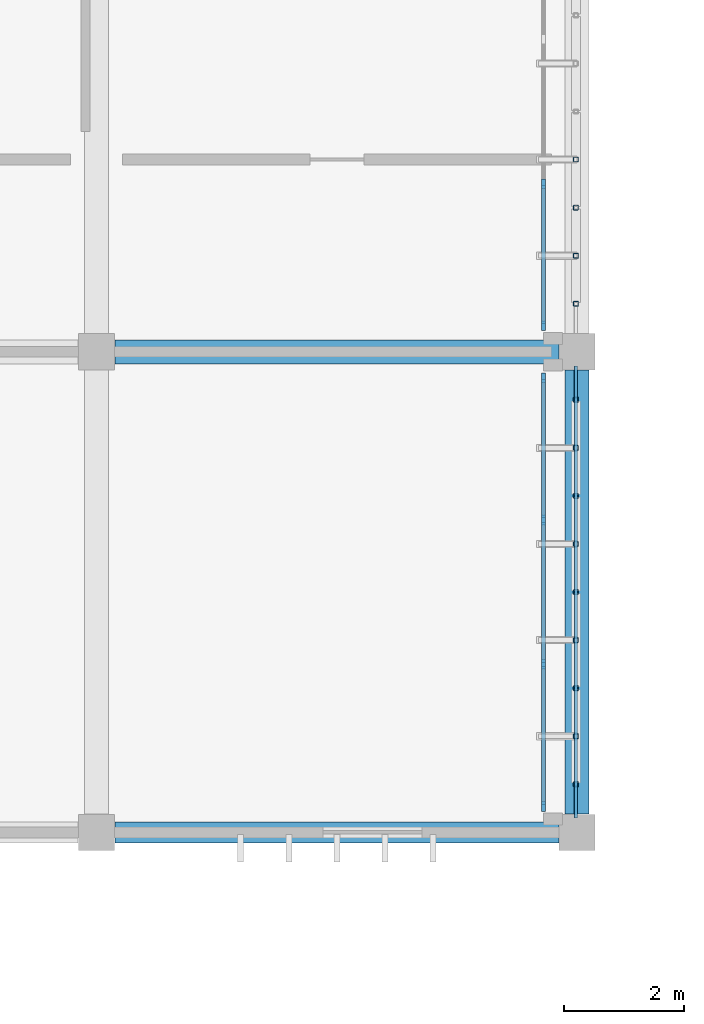
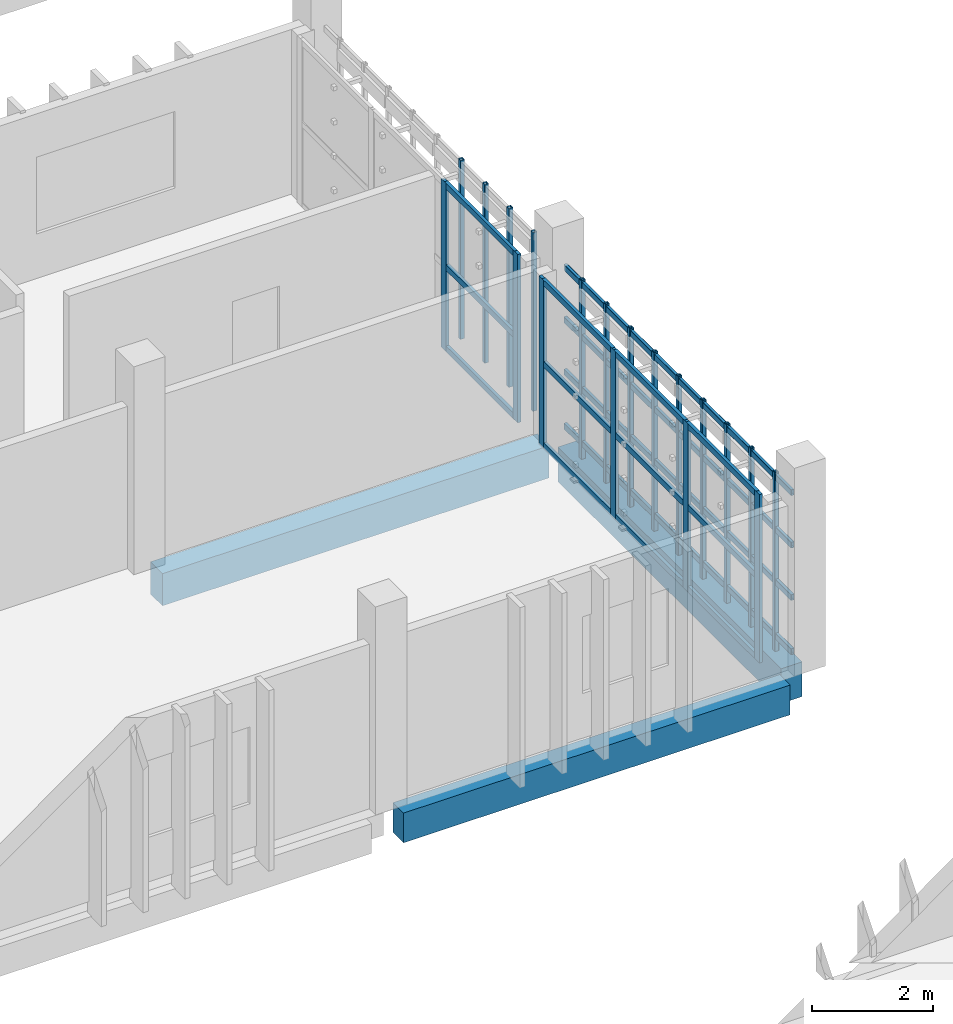
# One storey, part 30 of 83: 35 members, 3 beams, 2 elements without a shape of their own.
"""IFC4 building model written with IfcOpenShell, lengths in metres."""

from ifc_helpers import new_model, si_unit, direction, frame, origin, origin_2d, place, context, subcontext, project, spatial, rectangle, hollow_rectangle, extrude, material, layer, layer_set, material_profile, profile_set, type_object, element, aggregate, save


model = new_model("IFC4")

# Units and contexts
model_context = context("Model", 3, precision=1e-05, world=origin(), true_north=direction((0.0, 1.0)))
body_context = subcontext(model_context, "Body", "Model", "MODEL_VIEW")
ifc_project = project(units=[si_unit("LENGTHUNIT", "METRE"), si_unit("AREAUNIT", "SQUARE_METRE"), si_unit("VOLUMEUNIT", "CUBIC_METRE"), si_unit("PLANEANGLEUNIT", "RADIAN"), si_unit("MASSUNIT", "GRAM", prefix="KILO")], contexts=[model_context])

# Site, building, storey
site_placement = place(None, origin())
site = spatial("IfcSite", under=ifc_project, at=site_placement, CompositionType="ELEMENT")
building_placement = place(site_placement, origin())
building = spatial("IfcBuilding", under=site, at=building_placement, Name="Jelvoka-Kovrelna Polytechnic", CompositionType="ELEMENT")
storey_placement = place(building_placement, frame((0.0, 0.0, 13.800048828125)))
storey = spatial("IfcBuildingStorey", under=building, at=storey_placement, Name="L04", CompositionType="ELEMENT", Elevation=13.800048828125)

# Beams
ifc_material_1 = material(Name="Concrete C40/50", Category="concrete")
ifc_material_profile_1 = material_profile(ifc_material_1, rectangle(XDim=0.39990234375, YDim=0.64990234375, at=origin_2d()), Name="RC 400x650")
ifc_profile_set_1 = profile_set([ifc_material_profile_1], Name="Concrete C40/50")
beam_type_1 = type_object("IfcBeamType", Name="Beam_RC_400x650", PredefinedType="BEAM", material=ifc_profile_set_1)
beam_1_placement = place(storey_placement, frame((104.304931640625, 40.0, -0.574951171875), z_axis=(1.0, 0.0, 0.0), x_axis=(0.0, 1.0, 0.0)))
element("IfcBeam", 1, at=beam_1_placement, inside=storey, type_object=beam_type_1, Name="L04 beam 1188", PredefinedType="BEAM", context=body_context, shape_type="SweptSolid", body=[
    extrude(rectangle(XDim=0.39990234375, YDim=0.64990234375, at=origin_2d()), origin(), (0.0, 0.0, 1.0), 7.39013671875),
])
ifc_material_2 = material(Name="Concrete C40/50", Category="concrete")
ifc_material_profile_2 = material_profile(ifc_material_2, rectangle(XDim=0.39990234375, YDim=0.699951171875, at=origin_2d()), Name="RC 400x700")
ifc_profile_set_2 = profile_set([ifc_material_profile_2], Name="Concrete C40/50")
beam_type_2 = type_object("IfcBeamType", Name="Beam_RC_400x700", PredefinedType="BEAM", material=ifc_profile_set_2)
beam_2_placement = place(storey_placement, frame((112.0, 32.304931640625, -0.60009765625), z_axis=(0.0, 1.0, 0.0), x_axis=(-1.0, 0.0, 0.0)))
element("IfcBeam", 2, at=beam_2_placement, inside=storey, type_object=beam_type_2, Name="L04 beam 1210", PredefinedType="BEAM", context=body_context, shape_type="SweptSolid", body=[
    extrude(rectangle(XDim=0.39990234375, YDim=0.699951171875, at=origin_2d()), origin(), (0.0, 0.0, 1.0), 7.39013671875),
])

# Members
ifc_material_3 = material(Name="Structural steel S355J2H", Category="steel")
ifc_material_profile_3 = material_profile(ifc_material_3, hollow_rectangle(XDim=0.06005859375, YDim=0.1201171875, WallThickness=0.0048828125, InnerFilletRadius=0.0048828125, OuterFilletRadius=0.007568359375, at=origin_2d()), Name="120x60x5.0 RHS")
ifc_profile_set_3 = profile_set([ifc_material_profile_3], Name="Structural steel S355J2H")
member_type_1 = type_object("IfcMemberType", Name="Member_Strut_RHS120", PredefinedType="STRUT", material=ifc_profile_set_3)
for number, where, z_axis, x_axis, name in (
    (3, (111.97998046875, 32.239990234375, 0.079833984375), (0.0, 1.0, 0.0), (-1.0, 0.0, 0.0), "L04 terracotta screen horizontal strut 0183"),
    (4, (111.97998046875, 32.239990234375, 1.17138671875), (0.0, 1.0, 0.0), (-1.0, 0.0, 0.0), "L04 terracotta screen horizontal strut 0184"),
    (5, (111.97998046875, 32.239990234375, 2.230712890625), (0.0, 1.0, 0.0), (-1.0, 0.0, 0.0), "L04 terracotta screen horizontal strut 0185"),
    (6, (111.97998046875, 32.239990234375, 3.2900390625), (0.0, 1.0, 0.0), (-1.0, 0.0, 0.0), "L04 terracotta screen horizontal strut 0186"),
):
    element("IfcMember", number, at=place(storey_placement, frame(where, z_axis=z_axis, x_axis=x_axis)), inside=storey, type_object=member_type_1, Name=name, PredefinedType="STRUT", context=body_context, shape_type="SweptSolid", body=[
        extrude(hollow_rectangle(XDim=0.06005859375, YDim=0.1201171875, WallThickness=0.0048828125, InnerFilletRadius=0.0048828125, OuterFilletRadius=0.007568359375, at=origin_2d()), origin(), (0.0, 0.0, 1.0), 7.52001953125),
    ])
ifc_material_4 = material(Name="Structural steel S355J2H", Category="steel")
ifc_material_profile_4 = material_profile(ifc_material_4, hollow_rectangle(XDim=0.080078125, YDim=0.080078125, WallThickness=0.0048828125, InnerFilletRadius=0.0048828125, OuterFilletRadius=0.007568359375, at=origin_2d()), Name="80x80x5.0 SHS")
ifc_profile_set_4 = profile_set([ifc_material_profile_4], Name="Structural steel S355J2H")
member_type_2 = type_object("IfcMemberType", Name="Member_Strut_SHS80", PredefinedType="STRUT", material=ifc_profile_set_4)
for number, where, z_axis, x_axis, name in (
    (7, (111.97998046875, 32.800048828125, -0.22998046875), (0.0, 0.0, 1.0), (1.0, 0.0, 0.0), "L04 terracotta lattice vertical rib 0187"),
    (8, (111.97998046875, 33.60009765625, -0.22998046875), (0.0, 0.0, 1.0), (1.0, 0.0, 0.0), "L04 terracotta lattice vertical rib 0188"),
    (9, (111.97998046875, 34.39990234375, -0.22998046875), (0.0, 0.0, 1.0), (1.0, 0.0, 0.0), "L04 terracotta lattice vertical rib 0189"),
    (10, (111.97998046875, 35.199951171875, -0.22998046875), (0.0, 0.0, 1.0), (1.0, 0.0, 0.0), "L04 terracotta lattice vertical rib 0190"),
    (11, (111.97998046875, 36.0, -0.22998046875), (0.0, 0.0, 1.0), (1.0, 0.0, 0.0), "L04 terracotta lattice vertical rib 0191"),
    (12, (111.97998046875, 36.800048828125, -0.22998046875), (0.0, 0.0, 1.0), (1.0, 0.0, 0.0), "L04 terracotta lattice vertical rib 0192"),
    (13, (111.97998046875, 37.60009765625, -0.22998046875), (0.0, 0.0, 1.0), (1.0, 0.0, 0.0), "L04 terracotta lattice vertical rib 0193"),
    (14, (111.97998046875, 38.39990234375, -0.22998046875), (0.0, 0.0, 1.0), (1.0, 0.0, 0.0), "L04 terracotta lattice vertical rib 0194"),
    (15, (111.97998046875, 39.199951171875, -0.22998046875), (0.0, 0.0, 1.0), (1.0, 0.0, 0.0), "L04 terracotta lattice vertical rib 0195"),
    (16, (111.97998046875, 40.800048828125, -0.22998046875), (0.0, 0.0, 1.0), (1.0, 0.0, 0.0), "L04 terracotta lattice vertical rib 0200"),
    (17, (111.97998046875, 41.60009765625, -0.22998046875), (0.0, 0.0, 1.0), (1.0, 0.0, 0.0), "L04 terracotta lattice vertical rib 0201"),
    (18, (111.97998046875, 42.39990234375, -0.22998046875), (0.0, 0.0, 1.0), (1.0, 0.0, 0.0), "L04 terracotta lattice vertical rib 0202"),
    (19, (111.97998046875, 43.199951171875, -0.22998046875), (0.0, 0.0, 1.0), (1.0, 0.0, 0.0), "L04 terracotta lattice vertical rib 0203"),
):
    element("IfcMember", number, at=place(storey_placement, frame(where, z_axis=z_axis, x_axis=x_axis)), inside=storey, type_object=member_type_2, Name=name, PredefinedType="STRUT", context=body_context, shape_type="SweptSolid", body=[
        extrude(hollow_rectangle(XDim=0.080078125, YDim=0.080078125, WallThickness=0.0048828125, InnerFilletRadius=0.0048828125, OuterFilletRadius=0.007568359375, at=origin_2d()), origin(), (0.0, 0.0, 1.0), 3.60986328125),
    ])

# Curtain wall, members
ifc_material_5 = material(Name="Anodised aluminium 6063-T6", Category="aluminium")
ifc_layer = layer(ifc_material_5, 0.159912109375)
ifc_layer_set = layer_set([ifc_layer], Name="Anodised aluminium 6063-T6")
curtain_wall_type = type_object("IfcCurtainWallType", Name="CW_Recessed_A", PredefinedType="NOTDEFINED", material=ifc_layer_set)
curtain_wall_1_placement = place(storey_placement, origin())
curtain_wall_1 = element("IfcCurtainWall", 20, at=curtain_wall_1_placement, inside=storey, type_object=curtain_wall_type, Name="L04 glazed curtain wall 031", PredefinedType="NOTDEFINED")
ifc_material_6 = material(Name="Anodised aluminium 6063-T6", Category="aluminium")
ifc_material_profile_5 = material_profile(ifc_material_6, rectangle(XDim=0.06005859375, YDim=0.159912109375, at=origin_2d()), Name="ALU 60x160")
ifc_profile_set_5 = profile_set([ifc_material_profile_5], Name="Anodised aluminium 6063-T6")
member_type_3 = type_object("IfcMemberType", Name="Mullion_M-01", PredefinedType="MULLION", material=ifc_profile_set_5)
member_1_placement = place(storey_placement, frame((111.43994140625, 39.570068359375, -0.02490234375), z_axis=(0.0, 0.0, 1.0), x_axis=(1.0, 0.0, 0.0)))
member_1 = element("IfcMember", 21, at=member_1_placement, type_object=member_type_3, Name="CW-01 mullion 1", PredefinedType="MULLION", context=body_context, shape_type="SweptSolid", body=[
    extrude(rectangle(XDim=0.06005859375, YDim=0.159912109375, at=origin_2d()), origin(), (0.0, 0.0, 1.0), 3.39990234375),
])
member_2_placement = place(storey_placement, frame((111.43994140625, 37.199951171875, -0.02490234375), z_axis=(0.0, 0.0, 1.0), x_axis=(1.0, 0.0, 0.0)))
member_2 = element("IfcMember", 22, at=member_2_placement, type_object=member_type_3, Name="CW-01 mullion 2", PredefinedType="MULLION", context=body_context, shape_type="SweptSolid", body=[
    extrude(rectangle(XDim=0.06005859375, YDim=0.159912109375, at=origin_2d()), origin(), (0.0, 0.0, 1.0), 3.39990234375),
])
member_3_placement = place(storey_placement, frame((111.43994140625, 34.800048828125, -0.02490234375), z_axis=(0.0, 0.0, 1.0), x_axis=(1.0, 0.0, 0.0)))
member_3 = element("IfcMember", 23, at=member_3_placement, type_object=member_type_3, Name="CW-01 mullion 3", PredefinedType="MULLION", context=body_context, shape_type="SweptSolid", body=[
    extrude(rectangle(XDim=0.06005859375, YDim=0.159912109375, at=origin_2d()), origin(), (0.0, 0.0, 1.0), 3.39990234375),
])
member_4_placement = place(storey_placement, frame((111.43994140625, 32.429931640625, -0.02490234375), z_axis=(0.0, 0.0, 1.0), x_axis=(1.0, 0.0, 0.0)))
member_4 = element("IfcMember", 24, at=member_4_placement, type_object=member_type_3, Name="CW-01 mullion 4", PredefinedType="MULLION", context=body_context, shape_type="SweptSolid", body=[
    extrude(rectangle(XDim=0.06005859375, YDim=0.159912109375, at=origin_2d()), origin(), (0.0, 0.0, 1.0), 3.39990234375),
])

curtain_wall_2_placement = place(storey_placement, origin())
curtain_wall_2 = element("IfcCurtainWall", 25, at=curtain_wall_2_placement, inside=storey, type_object=curtain_wall_type, Name="L04 glazed curtain wall 032", PredefinedType="NOTDEFINED")
member_5_placement = place(storey_placement, frame((111.43994140625, 42.800048828125, -0.02490234375), z_axis=(0.0, 0.0, 1.0), x_axis=(1.0, 0.0, 0.0)))
member_5 = element("IfcMember", 26, at=member_5_placement, type_object=member_type_3, Name="CW-01 mullion 3", PredefinedType="MULLION", context=body_context, shape_type="SweptSolid", body=[
    extrude(rectangle(XDim=0.06005859375, YDim=0.159912109375, at=origin_2d()), origin(), (0.0, 0.0, 1.0), 3.39990234375),
])
member_6_placement = place(storey_placement, frame((111.43994140625, 40.429931640625, -0.02490234375), z_axis=(0.0, 0.0, 1.0), x_axis=(1.0, 0.0, 0.0)))
member_6 = element("IfcMember", 27, at=member_6_placement, type_object=member_type_3, Name="CW-01 mullion 4", PredefinedType="MULLION", context=body_context, shape_type="SweptSolid", body=[
    extrude(rectangle(XDim=0.06005859375, YDim=0.159912109375, at=origin_2d()), origin(), (0.0, 0.0, 1.0), 3.39990234375),
])

# Beam
ifc_material_7 = material(Name="Concrete C40/50", Category="concrete")
ifc_material_profile_6 = material_profile(ifc_material_7, rectangle(XDim=0.35009765625, YDim=0.60009765625, at=origin_2d()), Name="RC 350x600")
ifc_profile_set_6 = profile_set([ifc_material_profile_6], Name="Concrete C40/50")
beam_type_3 = type_object("IfcBeamType", Name="Spandrel_RC_350x600", PredefinedType="SPANDREL", material=ifc_profile_set_6)
beam_3_placement = place(storey_placement, frame((104.304931640625, 32.0, -0.550048828125), z_axis=(1.0, 0.0, 0.0), x_axis=(0.0, 1.0, 0.0)))
element("IfcBeam", 28, at=beam_3_placement, inside=storey, type_object=beam_type_3, Name="L04 beam 1182", PredefinedType="SPANDREL", context=body_context, shape_type="SweptSolid", body=[
    extrude(rectangle(XDim=0.35009765625, YDim=0.60009765625, at=origin_2d()), origin(), (0.0, 0.0, 1.0), 7.39013671875),
])

# Member
ifc_material_8 = material(Name="Anodised aluminium 6063-T6", Category="aluminium")
ifc_material_profile_7 = material_profile(ifc_material_8, rectangle(XDim=0.06005859375, YDim=0.1201171875, at=origin_2d()), Name="ALU 60x120")
ifc_profile_set_7 = profile_set([ifc_material_profile_7], Name="Anodised aluminium 6063-T6")
member_type_4 = type_object("IfcMemberType", Name="Transom_T-01", PredefinedType="USERDEFINED", material=ifc_profile_set_7)
member_7_placement = place(storey_placement, frame((111.43994140625, 39.5400390625, 0.030029296875), z_axis=(0.0, -1.0, 0.0), x_axis=(1.0, 0.0, 0.0)))
member_7 = element("IfcMember", 29, at=member_7_placement, type_object=member_type_4, Name="CW-01 transom 1.1", ObjectType="TRANSOM", PredefinedType="USERDEFINED", context=body_context, shape_type="SweptSolid", body=[
    extrude(rectangle(XDim=0.06005859375, YDim=0.1201171875, at=origin_2d()), origin(), (0.0, 0.0, 1.0), 2.31005859375),
])

member_8_placement = place(storey_placement, frame((111.43994140625, 39.5400390625, 1.675048828125), z_axis=(0.0, -1.0, 0.0), x_axis=(1.0, 0.0, 0.0)))
member_8 = element("IfcMember", 30, at=member_8_placement, type_object=member_type_4, Name="CW-01 transom 1.2", ObjectType="TRANSOM", PredefinedType="USERDEFINED", context=body_context, shape_type="SweptSolid", body=[
    extrude(rectangle(XDim=0.06005859375, YDim=0.1201171875, at=origin_2d()), origin(), (0.0, 0.0, 1.0), 2.31005859375),
])

member_9_placement = place(storey_placement, frame((111.43994140625, 39.5400390625, 3.320068359375), z_axis=(0.0, -1.0, 0.0), x_axis=(1.0, 0.0, 0.0)))
member_9 = element("IfcMember", 31, at=member_9_placement, type_object=member_type_4, Name="CW-01 transom 1.3", ObjectType="TRANSOM", PredefinedType="USERDEFINED", context=body_context, shape_type="SweptSolid", body=[
    extrude(rectangle(XDim=0.06005859375, YDim=0.1201171875, at=origin_2d()), origin(), (0.0, 0.0, 1.0), 2.31005859375),
])

member_10_placement = place(storey_placement, frame((111.43994140625, 37.169921875, 0.030029296875), z_axis=(0.0, -1.0, 0.0), x_axis=(1.0, 0.0, 0.0)))
member_10 = element("IfcMember", 32, at=member_10_placement, type_object=member_type_4, Name="CW-01 transom 2.1", ObjectType="TRANSOM", PredefinedType="USERDEFINED", context=body_context, shape_type="SweptSolid", body=[
    extrude(rectangle(XDim=0.06005859375, YDim=0.1201171875, at=origin_2d()), origin(), (0.0, 0.0, 1.0), 2.33984375),
])

member_11_placement = place(storey_placement, frame((111.43994140625, 37.169921875, 1.675048828125), z_axis=(0.0, -1.0, 0.0), x_axis=(1.0, 0.0, 0.0)))
member_11 = element("IfcMember", 33, at=member_11_placement, type_object=member_type_4, Name="CW-01 transom 2.2", ObjectType="TRANSOM", PredefinedType="USERDEFINED", context=body_context, shape_type="SweptSolid", body=[
    extrude(rectangle(XDim=0.06005859375, YDim=0.1201171875, at=origin_2d()), origin(), (0.0, 0.0, 1.0), 2.33984375),
])

member_12_placement = place(storey_placement, frame((111.43994140625, 37.169921875, 3.320068359375), z_axis=(0.0, -1.0, 0.0), x_axis=(1.0, 0.0, 0.0)))
member_12 = element("IfcMember", 34, at=member_12_placement, type_object=member_type_4, Name="CW-01 transom 2.3", ObjectType="TRANSOM", PredefinedType="USERDEFINED", context=body_context, shape_type="SweptSolid", body=[
    extrude(rectangle(XDim=0.06005859375, YDim=0.1201171875, at=origin_2d()), origin(), (0.0, 0.0, 1.0), 2.33984375),
])

member_13_placement = place(storey_placement, frame((111.43994140625, 34.77001953125, 0.030029296875), z_axis=(0.0, -1.0, 0.0), x_axis=(1.0, 0.0, 0.0)))
member_13 = element("IfcMember", 35, at=member_13_placement, type_object=member_type_4, Name="CW-01 transom 3.1", ObjectType="TRANSOM", PredefinedType="USERDEFINED", context=body_context, shape_type="SweptSolid", body=[
    extrude(rectangle(XDim=0.06005859375, YDim=0.1201171875, at=origin_2d()), origin(), (0.0, 0.0, 1.0), 2.31005859375),
])

member_14_placement = place(storey_placement, frame((111.43994140625, 34.77001953125, 1.675048828125), z_axis=(0.0, -1.0, 0.0), x_axis=(1.0, 0.0, 0.0)))
member_14 = element("IfcMember", 36, at=member_14_placement, type_object=member_type_4, Name="CW-01 transom 3.2", ObjectType="TRANSOM", PredefinedType="USERDEFINED", context=body_context, shape_type="SweptSolid", body=[
    extrude(rectangle(XDim=0.06005859375, YDim=0.1201171875, at=origin_2d()), origin(), (0.0, 0.0, 1.0), 2.31005859375),
])

member_15_placement = place(storey_placement, frame((111.43994140625, 34.77001953125, 3.320068359375), z_axis=(0.0, -1.0, 0.0), x_axis=(1.0, 0.0, 0.0)))
member_15 = element("IfcMember", 37, at=member_15_placement, type_object=member_type_4, Name="CW-01 transom 3.3", ObjectType="TRANSOM", PredefinedType="USERDEFINED", context=body_context, shape_type="SweptSolid", body=[
    extrude(rectangle(XDim=0.06005859375, YDim=0.1201171875, at=origin_2d()), origin(), (0.0, 0.0, 1.0), 2.31005859375),
])

aggregate(curtain_wall_1, [member_1, member_2, member_3, member_4, member_7, member_8, member_9, member_10, member_11, member_12, member_13, member_14, member_15])

member_16_placement = place(storey_placement, frame((111.43994140625, 42.77001953125, 0.030029296875), z_axis=(0.0, -1.0, 0.0), x_axis=(1.0, 0.0, 0.0)))
member_16 = element("IfcMember", 38, at=member_16_placement, type_object=member_type_4, Name="CW-01 transom 3.1", ObjectType="TRANSOM", PredefinedType="USERDEFINED", context=body_context, shape_type="SweptSolid", body=[
    extrude(rectangle(XDim=0.06005859375, YDim=0.1201171875, at=origin_2d()), origin(), (0.0, 0.0, 1.0), 2.31005859375),
])

member_17_placement = place(storey_placement, frame((111.43994140625, 42.77001953125, 1.675048828125), z_axis=(0.0, -1.0, 0.0), x_axis=(1.0, 0.0, 0.0)))
member_17 = element("IfcMember", 39, at=member_17_placement, type_object=member_type_4, Name="CW-01 transom 3.2", ObjectType="TRANSOM", PredefinedType="USERDEFINED", context=body_context, shape_type="SweptSolid", body=[
    extrude(rectangle(XDim=0.06005859375, YDim=0.1201171875, at=origin_2d()), origin(), (0.0, 0.0, 1.0), 2.31005859375),
])

member_18_placement = place(storey_placement, frame((111.43994140625, 42.77001953125, 3.320068359375), z_axis=(0.0, -1.0, 0.0), x_axis=(1.0, 0.0, 0.0)))
member_18 = element("IfcMember", 40, at=member_18_placement, type_object=member_type_4, Name="CW-01 transom 3.3", ObjectType="TRANSOM", PredefinedType="USERDEFINED", context=body_context, shape_type="SweptSolid", body=[
    extrude(rectangle(XDim=0.06005859375, YDim=0.1201171875, at=origin_2d()), origin(), (0.0, 0.0, 1.0), 2.31005859375),
])

aggregate(curtain_wall_2, [member_5, member_6, member_16, member_17, member_18])

save(model, "model.ifc")
